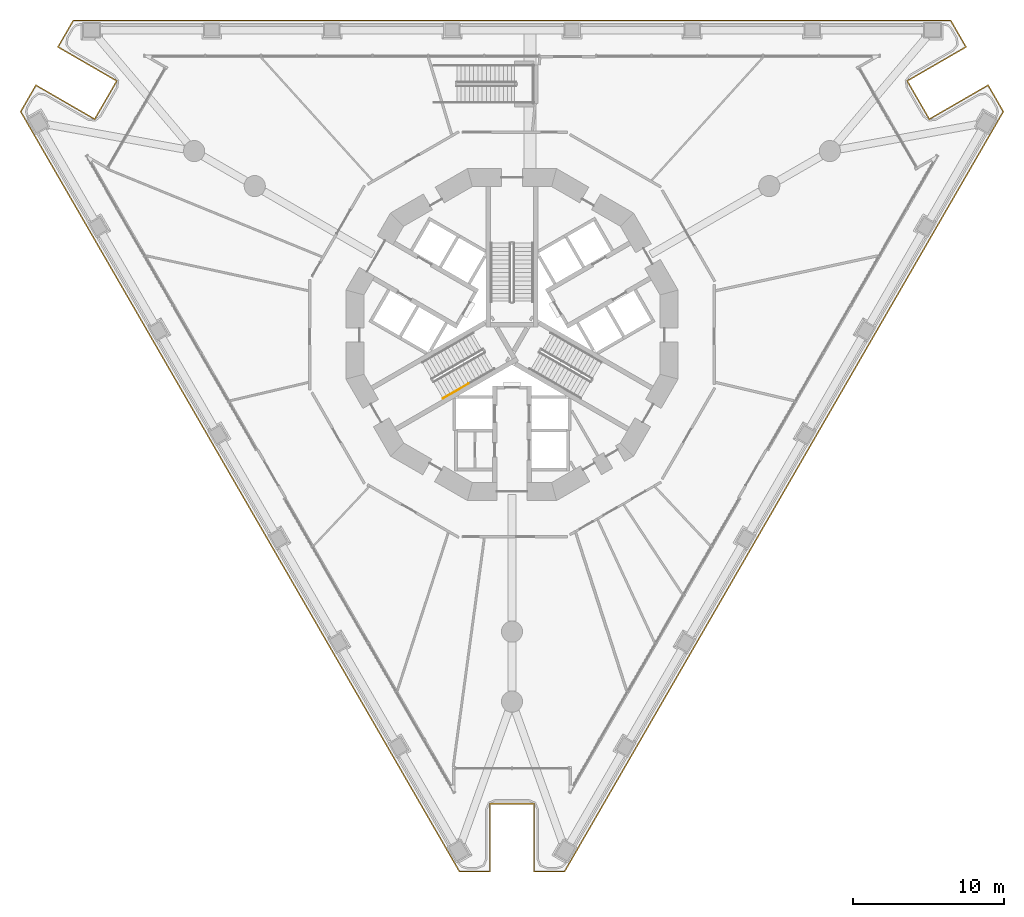
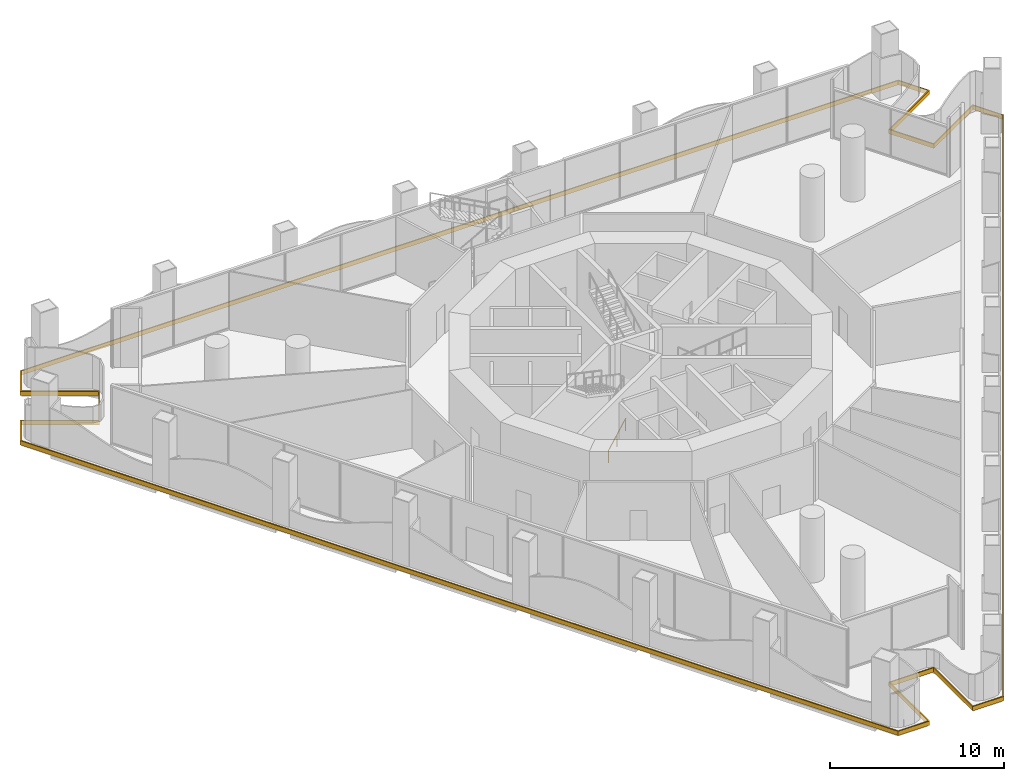
# One storey, part 15 of 21: 1 covering, 1 railing.
"""IFC4 building model written with IfcOpenShell, lengths in metres."""

from ifc_helpers import new_model, si_unit, direction, frame, origin, origin_2d, place, context, subcontext, project, spatial, polyline, circle, outline, extrude, material, layer, layer_set, type_object, element, save


model = new_model("IFC4")

# Units and contexts
model_context = context("Model", 3, precision=1e-05, world=origin(), true_north=direction((0.0, 1.0)))
body_context = subcontext(model_context, "Body", "Model", "MODEL_VIEW")
ifc_project = project(units=[si_unit("LENGTHUNIT", "METRE"), si_unit("AREAUNIT", "SQUARE_METRE"), si_unit("VOLUMEUNIT", "CUBIC_METRE"), si_unit("PLANEANGLEUNIT", "RADIAN"), si_unit("MASSUNIT", "GRAM", prefix="KILO")], contexts=[model_context])

# Site, building, storey
site_placement = place(None, origin())
site = spatial("IfcSite", under=ifc_project, at=site_placement, CompositionType="ELEMENT")
building_placement = place(site_placement, origin())
building = spatial("IfcBuilding", under=site, at=building_placement, Name="Trine Commons Tower", CompositionType="ELEMENT")
storey_placement = place(building_placement, frame((0.0, 0.0, 9.0)))
storey = spatial("IfcBuildingStorey", under=building, at=storey_placement, Name="L01", CompositionType="ELEMENT", Elevation=9.0)

# Covering
ifc_material_1 = material(Name="Limestone, honed", Category="masonry")
ifc_layer = layer(ifc_material_1, 0.074951171875)
ifc_layer_set = layer_set([ifc_layer], Name="Limestone, honed")
covering_type = type_object("IfcCoveringType", Name="Limestone spandrel panel 75", PredefinedType="CLADDING", material=ifc_layer_set)
covering_placement = place(storey_placement, frame((0.0, 0.0, -0.300048828125)))
element("IfcCovering", 1, at=covering_placement, inside=storey, type_object=covering_type, Name="Limestone spandrel panel 1-01", PredefinedType="CLADDING", context=body_context, shape_type="SweptSolid", body=[
    extrude(outline(polyline([(81.425048828125, 31.355712890625), (81.425048828125, 26.855712890625), (83.50732421875, 26.855712890625), (112.62255859375, 77.28466796875), (111.581298828125, 79.087890625), (107.68408203125, 76.837890625), (106.25927734375, 79.30615234375), (110.15625, 81.55615234375), (109.114990234375, 83.359619140625), (50.885009765625, 83.359619140625), (49.84375, 81.55615234375), (53.74072265625, 79.30615234375), (52.31591796875, 76.837890625), (48.418701171875, 79.087890625), (47.37744140625, 77.28466796875), (76.49267578125, 26.855712890625), (78.574951171875, 26.855712890625), (78.574951171875, 31.355712890625), (81.425048828125, 31.355712890625)]), holes=[polyline([(111.5537109375, 78.985595703125), (112.535888671875, 77.28466796875), (83.464111328125, 26.930908203125), (81.5, 26.930908203125), (81.5, 31.430908203125), (78.5, 31.430908203125), (78.5, 26.930908203125), (76.535888671875, 26.930908203125), (47.464111328125, 77.28466796875), (48.4462890625, 78.985595703125), (52.34326171875, 76.735595703125), (53.84326171875, 79.33349609375), (49.9462890625, 81.58349609375), (50.92822265625, 83.28466796875), (109.07177734375, 83.28466796875), (110.0537109375, 81.58349609375), (106.15673828125, 79.33349609375), (107.65673828125, 76.735595703125), (111.5537109375, 78.985595703125)])]), origin(), (0.0, 0.0, 1.0), 0.300048828125),
])

# Railing
ifc_material_2 = material(Name="Stainless steel handrail", Category="steel")
railing_type = type_object("IfcRailingType", Name="Stair handrail, steel 900", PredefinedType="HANDRAIL", material=ifc_material_2)
railing_placement = place(storey_placement, frame((75.43017578125, 58.27392578125, 0.14990234375)))
element("IfcRailing", 2, at=railing_placement, inside=storey, type_object=railing_type, Name="L01 ST2A stair handrail 1", PredefinedType="HANDRAIL", context=body_context, shape_type="SweptSolid", body=[
    extrude(circle(Radius=0.02099609375, at=origin_2d()), frame((0.0, 0.0, 0.87890625), z_axis=(0.763397845365, 0.440713210311, 0.472224095054), x_axis=(-0.499970440388, 0.866042469362, 0.0)), (0.0, 0.0, 1.0), 2.2236328125),
    extrude(circle(Radius=0.01513671875, at=origin_2d()), origin(), (0.0, 0.0, 1.0), 0.85791015625),
    extrude(circle(Radius=0.01513671875, at=origin_2d()), frame((0.8486328125, 0.489990234375, 0.52490234375)), (0.0, 0.0, 1.0), 0.85791015625),
    extrude(circle(Radius=0.01513671875, at=origin_2d()), frame((1.697509765625, 0.97998046875, 1.050048828125)), (0.0, 0.0, 1.0), 0.85791015625),
])

save(model, "model.ifc")
